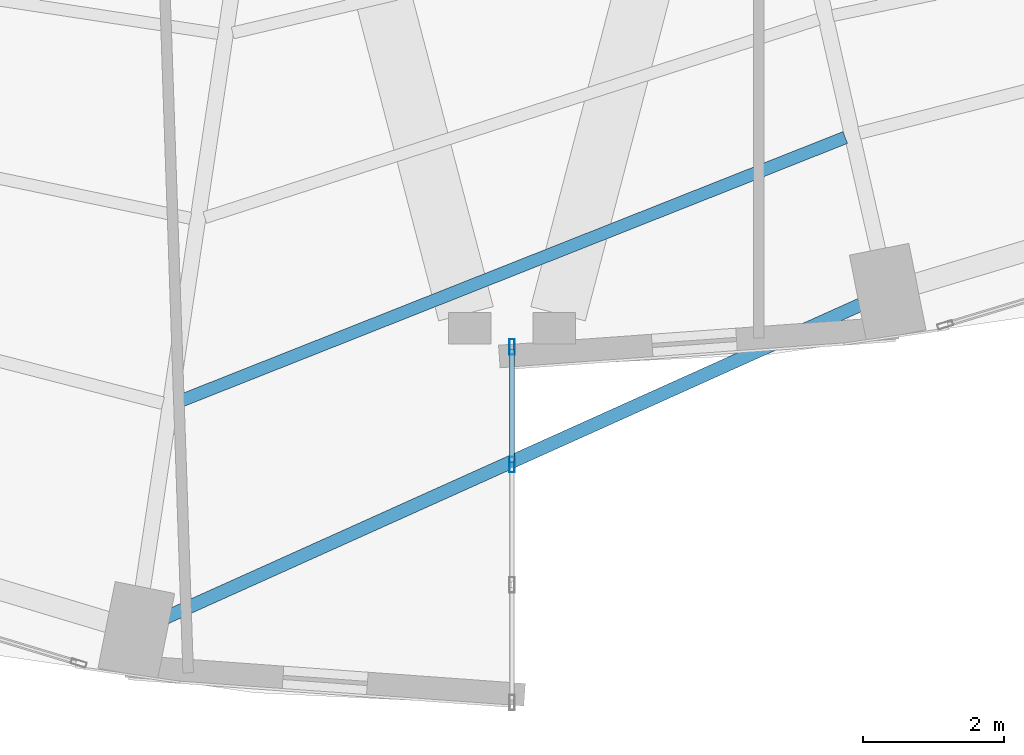
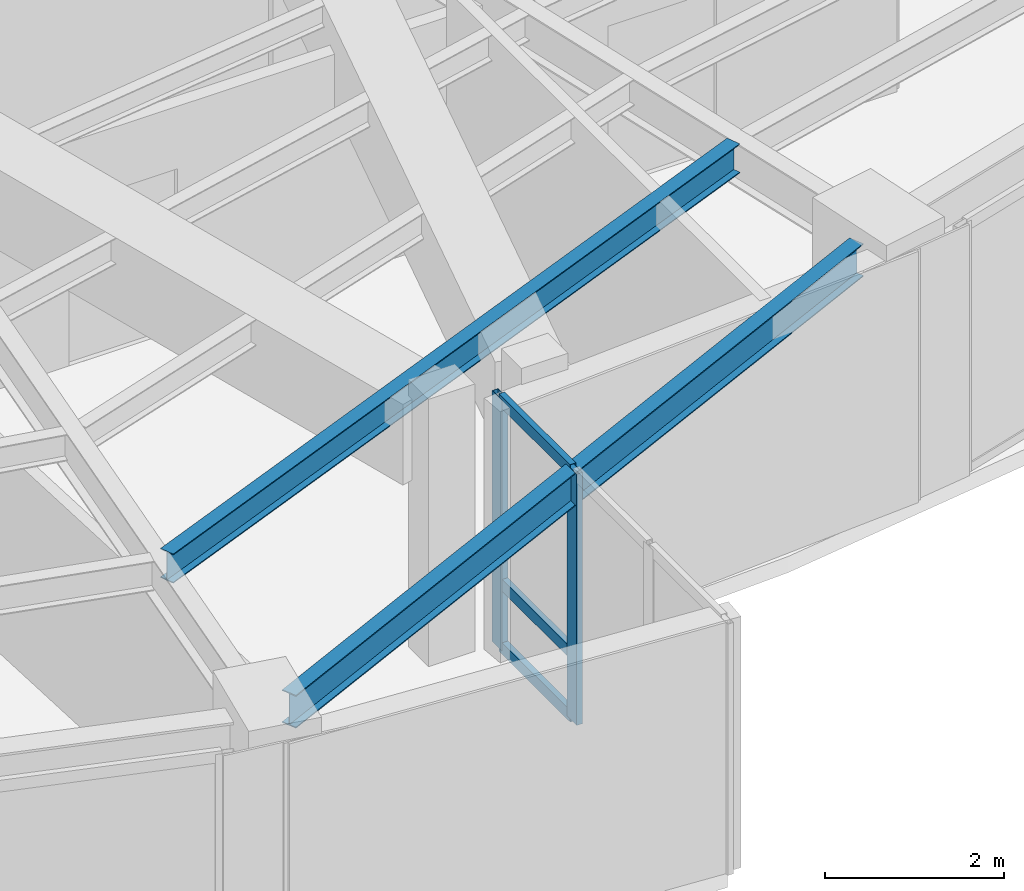
# One storey, part 6 of 25: 5 members, 2 beams, 1 element without a shape of its own.
"""IFC4 building model written with IfcOpenShell, lengths in metres."""

from ifc_helpers import new_model, si_unit, direction, frame, origin, origin_2d, place, context, subcontext, project, spatial, hollow_rectangle, i_section, extrude, material, layer, layer_set, material_profile, profile_set, type_object, element, aggregate, save


model = new_model("IFC4")

# Units and contexts
model_context = context("Model", 3, precision=1e-05, world=origin(), true_north=direction((0.0, 1.0)))
body_context = subcontext(model_context, "Body", "Model", "MODEL_VIEW")
ifc_project = project(units=[si_unit("LENGTHUNIT", "METRE"), si_unit("AREAUNIT", "SQUARE_METRE"), si_unit("VOLUMEUNIT", "CUBIC_METRE"), si_unit("PLANEANGLEUNIT", "RADIAN"), si_unit("MASSUNIT", "GRAM", prefix="KILO")], contexts=[model_context])

# Site, building, storey
site_placement = place(None, origin())
site = spatial("IfcSite", under=ifc_project, at=site_placement, CompositionType="ELEMENT")
building_placement = place(site_placement, origin())
building = spatial("IfcBuilding", under=site, at=building_placement, Name="Lazwardi Medical Tower", CompositionType="ELEMENT")
storey_placement = place(building_placement, frame((0.0, 0.0, 50.736083984375)))
storey = spatial("IfcBuildingStorey", under=building, at=storey_placement, Name="L12", CompositionType="ELEMENT", Elevation=50.736083984375)

# Beams
ifc_material_1 = material(Name="Steel S355", Category="steel")
ifc_material_profile_1 = material_profile(ifc_material_1, i_section(OverallWidth=0.179931640625, OverallDepth=0.39990234375, WebThickness=0.008544921875, FlangeThickness=0.013427734375, at=origin_2d()), Name="IPE 400")
ifc_profile_set_1 = profile_set([ifc_material_profile_1], Name="Steel S355")
beam_type_1 = type_object("IfcBeamType", Name="BM-SJ-01", PredefinedType="JOIST", material=ifc_profile_set_1)
beam_1_placement = place(storey_placement, frame((31.245849609375, 9.396484375, 3.22802734375), z_axis=(0.929663713752, 0.368409255222, 0.0), x_axis=(-0.368409255222, 0.929663713752, 0.0)))
element("IfcBeam", 1, at=beam_1_placement, inside=storey, type_object=beam_type_1, Name="Secondary joist SJ-01 R1 B16 L12", PredefinedType="JOIST", context=body_context, shape_type="SweptSolid", body=[
    extrude(i_section(OverallWidth=0.179931640625, OverallDepth=0.39990234375, WebThickness=0.008544921875, FlangeThickness=0.013427734375, at=origin_2d()), origin(), (0.0, 0.0, 1.0), 10.2001953125),
])
ifc_material_profile_2 = material_profile(ifc_material_1, i_section(OverallWidth=0.18994140625, OverallDepth=0.449951171875, WebThickness=0.009521484375, FlangeThickness=0.0146484375, at=origin_2d()), Name="IPE 450")
ifc_profile_set_2 = profile_set([ifc_material_profile_2], Name="Steel S355")
beam_type_2 = type_object("IfcBeamType", Name="BM-SP-01", PredefinedType="SPANDREL", material=ifc_profile_set_2)
beam_2_placement = place(storey_placement, frame((31.05224609375, 6.328369140625, 3.202880859375), z_axis=(0.91184908894, 0.410525564368, 0.0), x_axis=(-0.410525564368, 0.91184908894, 0.0)))
element("IfcBeam", 2, at=beam_2_placement, inside=storey, type_object=beam_type_2, Name="Spandrel beam SP-01 B16 L12", PredefinedType="SPANDREL", context=body_context, shape_type="SweptSolid", body=[
    extrude(i_section(OverallWidth=0.18994140625, OverallDepth=0.449951171875, WebThickness=0.009521484375, FlangeThickness=0.0146484375, at=origin_2d()), origin(), (0.0, 0.0, 1.0), 10.85205078125),
])

# Curtain wall, members
ifc_material_2 = material(Name="Anodised bronze aluminium and solar control glazing", Category="aluminium")
ifc_layer = layer(ifc_material_2, 0.2099609375)
ifc_layer_set = layer_set([ifc_layer], Name="Anodised bronze aluminium and solar control glazing")
curtain_wall_type = type_object("IfcCurtainWallType", Name="CW-SYS-06", PredefinedType="NOTDEFINED", material=ifc_layer_set)
curtain_wall_placement = place(storey_placement, origin())
curtain_wall = element("IfcCurtainWall", 3, at=curtain_wall_placement, inside=storey, type_object=curtain_wall_type, Name="L12 Unitised bronze curtain wall CW-06", PredefinedType="NOTDEFINED")
ifc_material_3 = material(Name="Anodised bronze aluminium", Category="aluminium")
ifc_material_profile_3 = material_profile(ifc_material_3, hollow_rectangle(XDim=0.074951171875, YDim=0.219970703125, WallThickness=0.00390625, at=origin_2d()), Name="ALU-MULLION 220x75x4")
ifc_profile_set_3 = profile_set([ifc_material_profile_3], Name="Anodised bronze aluminium")
member_type_1 = type_object("IfcMemberType", Name="CW-MUL-01", PredefinedType="MULLION", material=ifc_profile_set_3)
member_1_placement = place(storey_placement, frame((36.0, 8.513427734375, 0.0), z_axis=(0.0, 0.0, 1.0), x_axis=(-1.0, 0.0, 0.0)))
member_1 = element("IfcMember", 4, at=member_1_placement, type_object=member_type_1, Name="CW-06 mullion 3", PredefinedType="MULLION", context=body_context, shape_type="SweptSolid", body=[
    extrude(hollow_rectangle(XDim=0.074951171875, YDim=0.219970703125, WallThickness=0.00390625, at=origin_2d()), origin(), (0.0, 0.0, 1.0), 3.427978515625),
])
member_2_placement = place(storey_placement, frame((36.0, 10.1826171875, 0.0), z_axis=(0.0, 0.0, 1.0), x_axis=(-1.0, 0.0, 0.0)))
member_2 = element("IfcMember", 5, at=member_2_placement, type_object=member_type_1, Name="CW-06 mullion 4", PredefinedType="MULLION", context=body_context, shape_type="SweptSolid", body=[
    extrude(hollow_rectangle(XDim=0.074951171875, YDim=0.219970703125, WallThickness=0.00390625, at=origin_2d()), origin(), (0.0, 0.0, 1.0), 3.427978515625),
])
ifc_material_profile_4 = material_profile(ifc_material_3, hollow_rectangle(XDim=0.074951171875, YDim=0.159912109375, WallThickness=0.00390625, at=origin_2d()), Name="ALU-TRANSOM 160x75x4")
ifc_profile_set_4 = profile_set([ifc_material_profile_4], Name="Anodised bronze aluminium")
member_type_2 = type_object("IfcMemberType", Name="CW-TRN-01", PredefinedType="USERDEFINED", material=ifc_profile_set_4)
member_3_placement = place(storey_placement, frame((36.0, 8.55078125, 0.037353515625), z_axis=(0.0, 1.0, 0.0), x_axis=(-1.0, 0.0, 0.0)))
member_3 = element("IfcMember", 6, at=member_3_placement, type_object=member_type_2, Name="CW-06 transom 3.1", ObjectType="TRANSOM", PredefinedType="USERDEFINED", context=body_context, shape_type="SweptSolid", body=[
    extrude(hollow_rectangle(XDim=0.074951171875, YDim=0.159912109375, WallThickness=0.00390625, at=origin_2d()), origin(), (0.0, 0.0, 1.0), 1.59423828125),
])
member_4_placement = place(storey_placement, frame((36.0, 8.55078125, 0.89990234375), z_axis=(0.0, 1.0, 0.0), x_axis=(-1.0, 0.0, 0.0)))
member_4 = element("IfcMember", 7, at=member_4_placement, type_object=member_type_2, Name="CW-06 transom 3.2", ObjectType="TRANSOM", PredefinedType="USERDEFINED", context=body_context, shape_type="SweptSolid", body=[
    extrude(hollow_rectangle(XDim=0.074951171875, YDim=0.159912109375, WallThickness=0.00390625, at=origin_2d()), origin(), (0.0, 0.0, 1.0), 1.59423828125),
])
member_5_placement = place(storey_placement, frame((36.0, 8.55078125, 3.390380859375), z_axis=(0.0, 1.0, 0.0), x_axis=(-1.0, 0.0, 0.0)))
member_5 = element("IfcMember", 8, at=member_5_placement, type_object=member_type_2, Name="CW-06 transom 3.3", ObjectType="TRANSOM", PredefinedType="USERDEFINED", context=body_context, shape_type="SweptSolid", body=[
    extrude(hollow_rectangle(XDim=0.074951171875, YDim=0.159912109375, WallThickness=0.00390625, at=origin_2d()), origin(), (0.0, 0.0, 1.0), 1.59423828125),
])
aggregate(curtain_wall, [member_1, member_2, member_3, member_4, member_5])

save(model, "model.ifc")
